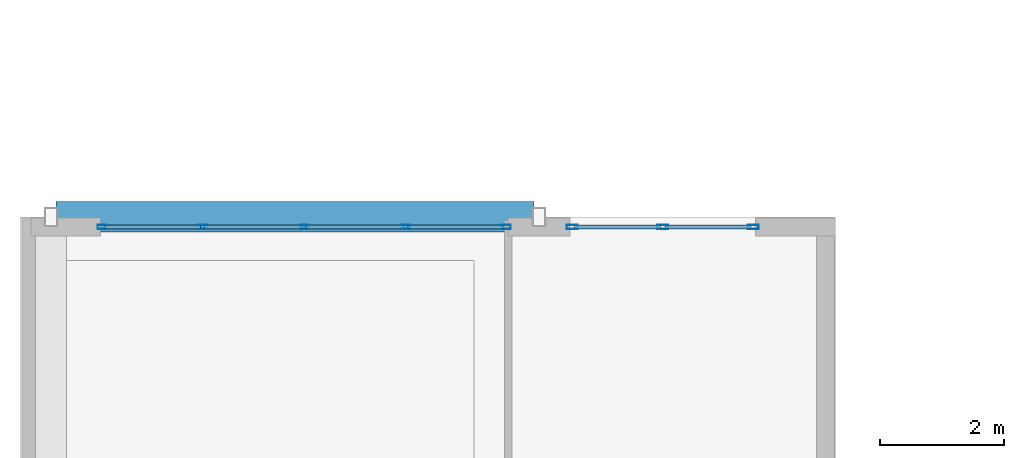
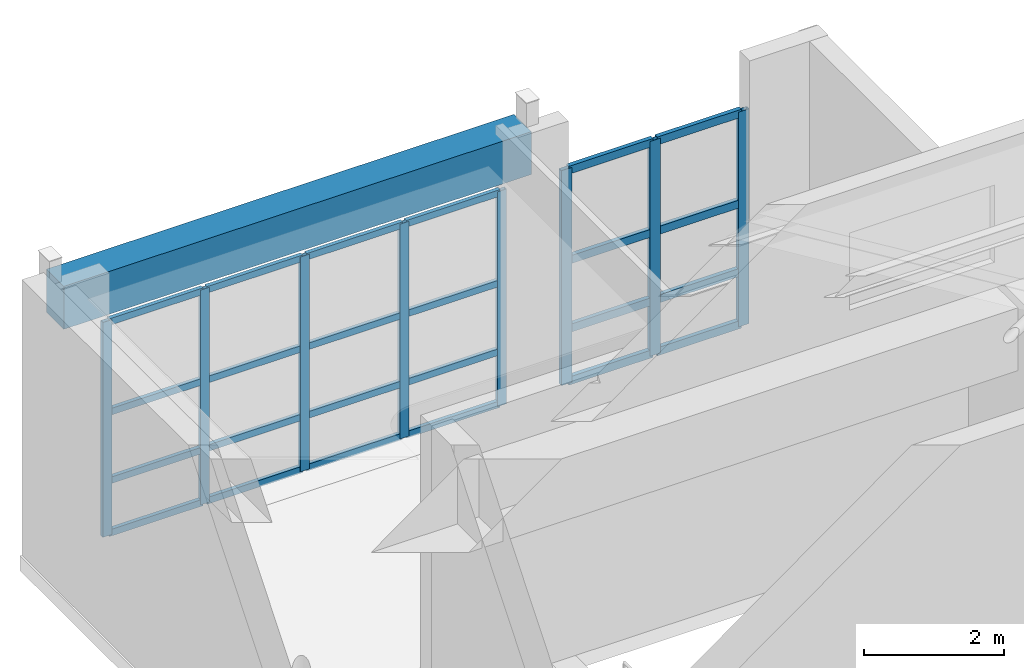
# One storey, part 18 of 34: 32 members, 1 beam, 2 elements without a shape of their own.
"""IFC4 building model written with IfcOpenShell, lengths in metres."""

from ifc_helpers import new_model, si_unit, direction, frame, origin, origin_2d, place, context, subcontext, project, spatial, rectangle, hollow_rectangle, extrude, material, layer, layer_set, material_profile, profile_set, type_object, element, aggregate, save


model = new_model("IFC4")

# Units and contexts
model_context = context("Model", 3, precision=1e-05, world=origin(), true_north=direction((0.0, 1.0)))
body_context = subcontext(model_context, "Body", "Model", "MODEL_VIEW")
ifc_project = project(units=[si_unit("LENGTHUNIT", "METRE"), si_unit("AREAUNIT", "SQUARE_METRE"), si_unit("VOLUMEUNIT", "CUBIC_METRE"), si_unit("PLANEANGLEUNIT", "RADIAN"), si_unit("MASSUNIT", "GRAM", prefix="KILO")], contexts=[model_context])

# Site, building, storey
site_placement = place(None, origin())
site = spatial("IfcSite", under=ifc_project, at=site_placement, CompositionType="ELEMENT")
building_placement = place(site_placement, origin())
building = spatial("IfcBuilding", under=site, at=building_placement, Name="Quendrovan Civic Courthouse", CompositionType="ELEMENT")
storey_placement = place(building_placement, frame((0.0, 0.0, 25.5)))
storey = spatial("IfcBuildingStorey", under=building, at=storey_placement, Name="L06", CompositionType="ELEMENT", Elevation=25.5)

# Beam
ifc_material_1 = material(Name="Concrete C40/50", Category="concrete")
ifc_material_profile_1 = material_profile(ifc_material_1, rectangle(XDim=0.5, YDim=0.75, at=origin_2d()), Name="RC-BM-500x750")
ifc_profile_set_1 = profile_set([ifc_material_profile_1], Name="Concrete C40/50")
beam_type = type_object("IfcBeamType", Name="BM-RC750", PredefinedType="SPANDREL", material=ifc_profile_set_1)
beam_placement = place(storey_placement, frame((0.580078125, 94.800048828125, 4.284912109375), z_axis=(1.0, 0.0, 0.0), x_axis=(0.0, 1.0, 0.0)))
element("IfcBeam", 1, at=beam_placement, inside=storey, type_object=beam_type, Name="L06 Girder X1101", PredefinedType="SPANDREL", context=body_context, shape_type="SweptSolid", body=[
    extrude(rectangle(XDim=0.5, YDim=0.75, at=origin_2d()), origin(), (0.0, 0.0, 1.0), 7.739990234375),
])

# Curtain wall, members
ifc_material_2 = material(Name="Bronze anodised aluminium and low-E glass", Category="aluminium")
ifc_layer_1 = layer(ifc_material_2, 0.179931640625, Name="Bronze anodised aluminium and low-E glass")
ifc_layer_set_1 = layer_set([ifc_layer_1], Name="Bronze anodised aluminium and low-E glass")
curtain_wall_type_1 = type_object("IfcCurtainWallType", Name="CW-U30x38", PredefinedType="USERDEFINED", material=ifc_layer_set_1)
curtain_wall_1_placement = place(storey_placement, origin())
curtain_wall_1 = element("IfcCurtainWall", 2, at=curtain_wall_1_placement, inside=storey, type_object=curtain_wall_type_1, Name="L06 Unitised Hurricane Curtain Wall CW-206", ObjectType="UNITISED CURTAIN WALL", PredefinedType="USERDEFINED")
ifc_material_3 = material(Name="Bronze anodised aluminium", Category="aluminium")
ifc_material_profile_2 = material_profile(ifc_material_3, hollow_rectangle(XDim=0.070068359375, YDim=0.179931640625, WallThickness=0.00390625, at=origin_2d()), Name="CW-MULL-70x180")
ifc_profile_set_2 = profile_set([ifc_material_profile_2], Name="Bronze anodised aluminium")
member_type_1 = type_object("IfcMemberType", Name="CW-MULL-A", PredefinedType="MULLION", material=ifc_profile_set_2)
member_1_placement = place(storey_placement, frame((8.93505859375, 94.635009765625, 0.0), z_axis=(0.0, 0.0, 1.0), x_axis=(0.0, 1.0, 0.0)))
member_1 = element("IfcMember", 3, at=member_1_placement, type_object=member_type_1, Name="CW-206 mullion 1", PredefinedType="MULLION", context=body_context, shape_type="SweptSolid", body=[
    extrude(hollow_rectangle(XDim=0.070068359375, YDim=0.179931640625, WallThickness=0.00390625, at=origin_2d()), origin(), (0.0, 0.0, 1.0), 3.760009765625),
])
member_2_placement = place(storey_placement, frame((10.39990234375, 94.635009765625, 0.0), z_axis=(0.0, 0.0, 1.0), x_axis=(0.0, 1.0, 0.0)))
member_2 = element("IfcMember", 4, at=member_2_placement, type_object=member_type_1, Name="CW-206 mullion 2", PredefinedType="MULLION", context=body_context, shape_type="SweptSolid", body=[
    extrude(hollow_rectangle(XDim=0.070068359375, YDim=0.179931640625, WallThickness=0.00390625, at=origin_2d()), origin(), (0.0, 0.0, 1.0), 3.760009765625),
])
member_3_placement = place(storey_placement, frame((11.864990234375, 94.635009765625, 0.0), z_axis=(0.0, 0.0, 1.0), x_axis=(0.0, 1.0, 0.0)))
member_3 = element("IfcMember", 5, at=member_3_placement, type_object=member_type_1, Name="CW-206 mullion 3", PredefinedType="MULLION", context=body_context, shape_type="SweptSolid", body=[
    extrude(hollow_rectangle(XDim=0.070068359375, YDim=0.179931640625, WallThickness=0.00390625, at=origin_2d()), origin(), (0.0, 0.0, 1.0), 3.760009765625),
])

ifc_layer_2 = layer(ifc_material_2, 0.179931640625, Name="Bronze anodised aluminium and low-E glass")
ifc_layer_set_2 = layer_set([ifc_layer_2], Name="Bronze anodised aluminium and low-E glass")
curtain_wall_type_2 = type_object("IfcCurtainWallType", Name="CW-U66x38", PredefinedType="USERDEFINED", material=ifc_layer_set_2)
curtain_wall_2_placement = place(storey_placement, origin())
curtain_wall_2 = element("IfcCurtainWall", 6, at=curtain_wall_2_placement, inside=storey, type_object=curtain_wall_type_2, Name="L06 Unitised Hurricane Curtain Wall CW-205", ObjectType="UNITISED CURTAIN WALL", PredefinedType="USERDEFINED")
ifc_material_profile_3 = material_profile(ifc_material_3, hollow_rectangle(XDim=0.06494140625, YDim=0.14990234375, WallThickness=0.00390625, at=origin_2d()), Name="CW-MULL-65x150")
ifc_profile_set_3 = profile_set([ifc_material_profile_3], Name="Bronze anodised aluminium")
member_type_2 = type_object("IfcMemberType", Name="CW-MULL-B", PredefinedType="MULLION", material=ifc_profile_set_3)
member_4_placement = place(storey_placement, frame((1.33251953125, 94.635009765625, 0.0), z_axis=(0.0, 0.0, 1.0), x_axis=(0.0, 1.0, 0.0)))
member_4 = element("IfcMember", 7, at=member_4_placement, type_object=member_type_2, Name="CW-205 mullion 1", PredefinedType="MULLION", context=body_context, shape_type="SweptSolid", body=[
    extrude(hollow_rectangle(XDim=0.06494140625, YDim=0.14990234375, WallThickness=0.00390625, at=origin_2d()), origin(), (0.0, 0.0, 1.0), 3.760009765625),
])
member_5_placement = place(storey_placement, frame((2.949951171875, 94.635009765625, 0.0), z_axis=(0.0, 0.0, 1.0), x_axis=(0.0, 1.0, 0.0)))
member_5 = element("IfcMember", 8, at=member_5_placement, type_object=member_type_2, Name="CW-205 mullion 2", PredefinedType="MULLION", context=body_context, shape_type="SweptSolid", body=[
    extrude(hollow_rectangle(XDim=0.06494140625, YDim=0.14990234375, WallThickness=0.00390625, at=origin_2d()), origin(), (0.0, 0.0, 1.0), 3.760009765625),
])
member_6_placement = place(storey_placement, frame((4.60009765625, 94.635009765625, 0.0), z_axis=(0.0, 0.0, 1.0), x_axis=(0.0, 1.0, 0.0)))
member_6 = element("IfcMember", 9, at=member_6_placement, type_object=member_type_2, Name="CW-205 mullion 3", PredefinedType="MULLION", context=body_context, shape_type="SweptSolid", body=[
    extrude(hollow_rectangle(XDim=0.06494140625, YDim=0.14990234375, WallThickness=0.00390625, at=origin_2d()), origin(), (0.0, 0.0, 1.0), 3.760009765625),
])
member_7_placement = place(storey_placement, frame((6.25, 94.635009765625, 0.0), z_axis=(0.0, 0.0, 1.0), x_axis=(0.0, 1.0, 0.0)))
member_7 = element("IfcMember", 10, at=member_7_placement, type_object=member_type_2, Name="CW-205 mullion 4", PredefinedType="MULLION", context=body_context, shape_type="SweptSolid", body=[
    extrude(hollow_rectangle(XDim=0.06494140625, YDim=0.14990234375, WallThickness=0.00390625, at=origin_2d()), origin(), (0.0, 0.0, 1.0), 3.760009765625),
])
member_8_placement = place(storey_placement, frame((7.867431640625, 94.635009765625, 0.0), z_axis=(0.0, 0.0, 1.0), x_axis=(0.0, 1.0, 0.0)))
member_8 = element("IfcMember", 11, at=member_8_placement, type_object=member_type_2, Name="CW-205 mullion 5", PredefinedType="MULLION", context=body_context, shape_type="SweptSolid", body=[
    extrude(hollow_rectangle(XDim=0.06494140625, YDim=0.14990234375, WallThickness=0.00390625, at=origin_2d()), origin(), (0.0, 0.0, 1.0), 3.760009765625),
])

# Member
ifc_material_profile_4 = material_profile(ifc_material_3, hollow_rectangle(XDim=0.070068359375, YDim=0.139892578125, WallThickness=0.00390625, at=origin_2d()), Name="CW-TRAN-70x140")
ifc_profile_set_4 = profile_set([ifc_material_profile_4], Name="Bronze anodised aluminium")
member_type_3 = type_object("IfcMemberType", Name="CW-TRAN-A", PredefinedType="USERDEFINED", material=ifc_profile_set_4)
member_9_placement = place(storey_placement, frame((8.969970703125, 94.635009765625, 0.034912109375), z_axis=(1.0, 0.0, 0.0), x_axis=(0.0, 1.0, 0.0)))
member_9 = element("IfcMember", 12, at=member_9_placement, type_object=member_type_3, Name="CW-206 transom 1.1", ObjectType="TRANSOM", PredefinedType="USERDEFINED", context=body_context, shape_type="SweptSolid", body=[
    extrude(hollow_rectangle(XDim=0.070068359375, YDim=0.139892578125, WallThickness=0.00390625, at=origin_2d()), origin(), (0.0, 0.0, 1.0), 1.39501953125),
])

member_10_placement = place(storey_placement, frame((8.969970703125, 94.635009765625, 0.949951171875), z_axis=(1.0, 0.0, 0.0), x_axis=(0.0, 1.0, 0.0)))
member_10 = element("IfcMember", 13, at=member_10_placement, type_object=member_type_3, Name="CW-206 transom 1.2", ObjectType="TRANSOM", PredefinedType="USERDEFINED", context=body_context, shape_type="SweptSolid", body=[
    extrude(hollow_rectangle(XDim=0.070068359375, YDim=0.139892578125, WallThickness=0.00390625, at=origin_2d()), origin(), (0.0, 0.0, 1.0), 1.39501953125),
])

member_11_placement = place(storey_placement, frame((8.969970703125, 94.635009765625, 2.14990234375), z_axis=(1.0, 0.0, 0.0), x_axis=(0.0, 1.0, 0.0)))
member_11 = element("IfcMember", 14, at=member_11_placement, type_object=member_type_3, Name="CW-206 transom 1.3", ObjectType="TRANSOM", PredefinedType="USERDEFINED", context=body_context, shape_type="SweptSolid", body=[
    extrude(hollow_rectangle(XDim=0.070068359375, YDim=0.139892578125, WallThickness=0.00390625, at=origin_2d()), origin(), (0.0, 0.0, 1.0), 1.39501953125),
])

member_12_placement = place(storey_placement, frame((8.969970703125, 94.635009765625, 3.72509765625), z_axis=(1.0, 0.0, 0.0), x_axis=(0.0, 1.0, 0.0)))
member_12 = element("IfcMember", 15, at=member_12_placement, type_object=member_type_3, Name="CW-206 transom 1.4", ObjectType="TRANSOM", PredefinedType="USERDEFINED", context=body_context, shape_type="SweptSolid", body=[
    extrude(hollow_rectangle(XDim=0.070068359375, YDim=0.139892578125, WallThickness=0.00390625, at=origin_2d()), origin(), (0.0, 0.0, 1.0), 1.39501953125),
])

member_13_placement = place(storey_placement, frame((10.43505859375, 94.635009765625, 0.034912109375), z_axis=(1.0, 0.0, 0.0), x_axis=(0.0, 1.0, 0.0)))
member_13 = element("IfcMember", 16, at=member_13_placement, type_object=member_type_3, Name="CW-206 transom 2.1", ObjectType="TRANSOM", PredefinedType="USERDEFINED", context=body_context, shape_type="SweptSolid", body=[
    extrude(hollow_rectangle(XDim=0.070068359375, YDim=0.139892578125, WallThickness=0.00390625, at=origin_2d()), origin(), (0.0, 0.0, 1.0), 1.39501953125),
])

member_14_placement = place(storey_placement, frame((10.43505859375, 94.635009765625, 0.949951171875), z_axis=(1.0, 0.0, 0.0), x_axis=(0.0, 1.0, 0.0)))
member_14 = element("IfcMember", 17, at=member_14_placement, type_object=member_type_3, Name="CW-206 transom 2.2", ObjectType="TRANSOM", PredefinedType="USERDEFINED", context=body_context, shape_type="SweptSolid", body=[
    extrude(hollow_rectangle(XDim=0.070068359375, YDim=0.139892578125, WallThickness=0.00390625, at=origin_2d()), origin(), (0.0, 0.0, 1.0), 1.39501953125),
])

member_15_placement = place(storey_placement, frame((10.43505859375, 94.635009765625, 2.14990234375), z_axis=(1.0, 0.0, 0.0), x_axis=(0.0, 1.0, 0.0)))
member_15 = element("IfcMember", 18, at=member_15_placement, type_object=member_type_3, Name="CW-206 transom 2.3", ObjectType="TRANSOM", PredefinedType="USERDEFINED", context=body_context, shape_type="SweptSolid", body=[
    extrude(hollow_rectangle(XDim=0.070068359375, YDim=0.139892578125, WallThickness=0.00390625, at=origin_2d()), origin(), (0.0, 0.0, 1.0), 1.39501953125),
])

member_16_placement = place(storey_placement, frame((10.43505859375, 94.635009765625, 3.72509765625), z_axis=(1.0, 0.0, 0.0), x_axis=(0.0, 1.0, 0.0)))
member_16 = element("IfcMember", 19, at=member_16_placement, type_object=member_type_3, Name="CW-206 transom 2.4", ObjectType="TRANSOM", PredefinedType="USERDEFINED", context=body_context, shape_type="SweptSolid", body=[
    extrude(hollow_rectangle(XDim=0.070068359375, YDim=0.139892578125, WallThickness=0.00390625, at=origin_2d()), origin(), (0.0, 0.0, 1.0), 1.39501953125),
])

aggregate(curtain_wall_1, [member_1, member_2, member_3, member_9, member_10, member_11, member_12, member_13, member_14, member_15, member_16])

ifc_material_profile_5 = material_profile(ifc_material_3, hollow_rectangle(XDim=0.06494140625, YDim=0.114990234375, WallThickness=0.00390625, at=origin_2d()), Name="CW-TRAN-65x115")
ifc_profile_set_5 = profile_set([ifc_material_profile_5], Name="Bronze anodised aluminium")
member_type_4 = type_object("IfcMemberType", Name="CW-TRAN-B", PredefinedType="USERDEFINED", material=ifc_profile_set_5)
member_17_placement = place(storey_placement, frame((1.364990234375, 94.635009765625, 0.032470703125), z_axis=(1.0, 0.0, 0.0), x_axis=(0.0, 1.0, 0.0)))
member_17 = element("IfcMember", 20, at=member_17_placement, type_object=member_type_4, Name="CW-205 transom 1.1", ObjectType="TRANSOM", PredefinedType="USERDEFINED", context=body_context, shape_type="SweptSolid", body=[
    extrude(hollow_rectangle(XDim=0.06494140625, YDim=0.114990234375, WallThickness=0.00390625, at=origin_2d()), origin(), (0.0, 0.0, 1.0), 1.552490234375),
])

member_18_placement = place(storey_placement, frame((1.364990234375, 94.635009765625, 0.949951171875), z_axis=(1.0, 0.0, 0.0), x_axis=(0.0, 1.0, 0.0)))
member_18 = element("IfcMember", 21, at=member_18_placement, type_object=member_type_4, Name="CW-205 transom 1.2", ObjectType="TRANSOM", PredefinedType="USERDEFINED", context=body_context, shape_type="SweptSolid", body=[
    extrude(hollow_rectangle(XDim=0.06494140625, YDim=0.114990234375, WallThickness=0.00390625, at=origin_2d()), origin(), (0.0, 0.0, 1.0), 1.552490234375),
])

member_19_placement = place(storey_placement, frame((1.364990234375, 94.635009765625, 2.14990234375), z_axis=(1.0, 0.0, 0.0), x_axis=(0.0, 1.0, 0.0)))
member_19 = element("IfcMember", 22, at=member_19_placement, type_object=member_type_4, Name="CW-205 transom 1.3", ObjectType="TRANSOM", PredefinedType="USERDEFINED", context=body_context, shape_type="SweptSolid", body=[
    extrude(hollow_rectangle(XDim=0.06494140625, YDim=0.114990234375, WallThickness=0.00390625, at=origin_2d()), origin(), (0.0, 0.0, 1.0), 1.552490234375),
])

member_20_placement = place(storey_placement, frame((1.364990234375, 94.635009765625, 3.7275390625), z_axis=(1.0, 0.0, 0.0), x_axis=(0.0, 1.0, 0.0)))
member_20 = element("IfcMember", 23, at=member_20_placement, type_object=member_type_4, Name="CW-205 transom 1.4", ObjectType="TRANSOM", PredefinedType="USERDEFINED", context=body_context, shape_type="SweptSolid", body=[
    extrude(hollow_rectangle(XDim=0.06494140625, YDim=0.114990234375, WallThickness=0.00390625, at=origin_2d()), origin(), (0.0, 0.0, 1.0), 1.552490234375),
])

member_21_placement = place(storey_placement, frame((2.982421875, 94.635009765625, 0.032470703125), z_axis=(1.0, 0.0, 0.0), x_axis=(0.0, 1.0, 0.0)))
member_21 = element("IfcMember", 24, at=member_21_placement, type_object=member_type_4, Name="CW-205 transom 2.1", ObjectType="TRANSOM", PredefinedType="USERDEFINED", context=body_context, shape_type="SweptSolid", body=[
    extrude(hollow_rectangle(XDim=0.06494140625, YDim=0.114990234375, WallThickness=0.00390625, at=origin_2d()), origin(), (0.0, 0.0, 1.0), 1.5849609375),
])

member_22_placement = place(storey_placement, frame((2.982421875, 94.635009765625, 0.949951171875), z_axis=(1.0, 0.0, 0.0), x_axis=(0.0, 1.0, 0.0)))
member_22 = element("IfcMember", 25, at=member_22_placement, type_object=member_type_4, Name="CW-205 transom 2.2", ObjectType="TRANSOM", PredefinedType="USERDEFINED", context=body_context, shape_type="SweptSolid", body=[
    extrude(hollow_rectangle(XDim=0.06494140625, YDim=0.114990234375, WallThickness=0.00390625, at=origin_2d()), origin(), (0.0, 0.0, 1.0), 1.5849609375),
])

member_23_placement = place(storey_placement, frame((2.982421875, 94.635009765625, 2.14990234375), z_axis=(1.0, 0.0, 0.0), x_axis=(0.0, 1.0, 0.0)))
member_23 = element("IfcMember", 26, at=member_23_placement, type_object=member_type_4, Name="CW-205 transom 2.3", ObjectType="TRANSOM", PredefinedType="USERDEFINED", context=body_context, shape_type="SweptSolid", body=[
    extrude(hollow_rectangle(XDim=0.06494140625, YDim=0.114990234375, WallThickness=0.00390625, at=origin_2d()), origin(), (0.0, 0.0, 1.0), 1.5849609375),
])

member_24_placement = place(storey_placement, frame((2.982421875, 94.635009765625, 3.7275390625), z_axis=(1.0, 0.0, 0.0), x_axis=(0.0, 1.0, 0.0)))
member_24 = element("IfcMember", 27, at=member_24_placement, type_object=member_type_4, Name="CW-205 transom 2.4", ObjectType="TRANSOM", PredefinedType="USERDEFINED", context=body_context, shape_type="SweptSolid", body=[
    extrude(hollow_rectangle(XDim=0.06494140625, YDim=0.114990234375, WallThickness=0.00390625, at=origin_2d()), origin(), (0.0, 0.0, 1.0), 1.5849609375),
])

member_25_placement = place(storey_placement, frame((4.632568359375, 94.635009765625, 0.032470703125), z_axis=(1.0, 0.0, 0.0), x_axis=(0.0, 1.0, 0.0)))
member_25 = element("IfcMember", 28, at=member_25_placement, type_object=member_type_4, Name="CW-205 transom 3.1", ObjectType="TRANSOM", PredefinedType="USERDEFINED", context=body_context, shape_type="SweptSolid", body=[
    extrude(hollow_rectangle(XDim=0.06494140625, YDim=0.114990234375, WallThickness=0.00390625, at=origin_2d()), origin(), (0.0, 0.0, 1.0), 1.5849609375),
])

member_26_placement = place(storey_placement, frame((4.632568359375, 94.635009765625, 0.949951171875), z_axis=(1.0, 0.0, 0.0), x_axis=(0.0, 1.0, 0.0)))
member_26 = element("IfcMember", 29, at=member_26_placement, type_object=member_type_4, Name="CW-205 transom 3.2", ObjectType="TRANSOM", PredefinedType="USERDEFINED", context=body_context, shape_type="SweptSolid", body=[
    extrude(hollow_rectangle(XDim=0.06494140625, YDim=0.114990234375, WallThickness=0.00390625, at=origin_2d()), origin(), (0.0, 0.0, 1.0), 1.5849609375),
])

member_27_placement = place(storey_placement, frame((4.632568359375, 94.635009765625, 2.14990234375), z_axis=(1.0, 0.0, 0.0), x_axis=(0.0, 1.0, 0.0)))
member_27 = element("IfcMember", 30, at=member_27_placement, type_object=member_type_4, Name="CW-205 transom 3.3", ObjectType="TRANSOM", PredefinedType="USERDEFINED", context=body_context, shape_type="SweptSolid", body=[
    extrude(hollow_rectangle(XDim=0.06494140625, YDim=0.114990234375, WallThickness=0.00390625, at=origin_2d()), origin(), (0.0, 0.0, 1.0), 1.5849609375),
])

member_28_placement = place(storey_placement, frame((4.632568359375, 94.635009765625, 3.7275390625), z_axis=(1.0, 0.0, 0.0), x_axis=(0.0, 1.0, 0.0)))
member_28 = element("IfcMember", 31, at=member_28_placement, type_object=member_type_4, Name="CW-205 transom 3.4", ObjectType="TRANSOM", PredefinedType="USERDEFINED", context=body_context, shape_type="SweptSolid", body=[
    extrude(hollow_rectangle(XDim=0.06494140625, YDim=0.114990234375, WallThickness=0.00390625, at=origin_2d()), origin(), (0.0, 0.0, 1.0), 1.5849609375),
])

member_29_placement = place(storey_placement, frame((6.282470703125, 94.635009765625, 0.032470703125), z_axis=(1.0, 0.0, 0.0), x_axis=(0.0, 1.0, 0.0)))
member_29 = element("IfcMember", 32, at=member_29_placement, type_object=member_type_4, Name="CW-205 transom 4.1", ObjectType="TRANSOM", PredefinedType="USERDEFINED", context=body_context, shape_type="SweptSolid", body=[
    extrude(hollow_rectangle(XDim=0.06494140625, YDim=0.114990234375, WallThickness=0.00390625, at=origin_2d()), origin(), (0.0, 0.0, 1.0), 1.552490234375),
])

member_30_placement = place(storey_placement, frame((6.282470703125, 94.635009765625, 0.949951171875), z_axis=(1.0, 0.0, 0.0), x_axis=(0.0, 1.0, 0.0)))
member_30 = element("IfcMember", 33, at=member_30_placement, type_object=member_type_4, Name="CW-205 transom 4.2", ObjectType="TRANSOM", PredefinedType="USERDEFINED", context=body_context, shape_type="SweptSolid", body=[
    extrude(hollow_rectangle(XDim=0.06494140625, YDim=0.114990234375, WallThickness=0.00390625, at=origin_2d()), origin(), (0.0, 0.0, 1.0), 1.552490234375),
])

member_31_placement = place(storey_placement, frame((6.282470703125, 94.635009765625, 2.14990234375), z_axis=(1.0, 0.0, 0.0), x_axis=(0.0, 1.0, 0.0)))
member_31 = element("IfcMember", 34, at=member_31_placement, type_object=member_type_4, Name="CW-205 transom 4.3", ObjectType="TRANSOM", PredefinedType="USERDEFINED", context=body_context, shape_type="SweptSolid", body=[
    extrude(hollow_rectangle(XDim=0.06494140625, YDim=0.114990234375, WallThickness=0.00390625, at=origin_2d()), origin(), (0.0, 0.0, 1.0), 1.552490234375),
])

member_32_placement = place(storey_placement, frame((6.282470703125, 94.635009765625, 3.7275390625), z_axis=(1.0, 0.0, 0.0), x_axis=(0.0, 1.0, 0.0)))
member_32 = element("IfcMember", 35, at=member_32_placement, type_object=member_type_4, Name="CW-205 transom 4.4", ObjectType="TRANSOM", PredefinedType="USERDEFINED", context=body_context, shape_type="SweptSolid", body=[
    extrude(hollow_rectangle(XDim=0.06494140625, YDim=0.114990234375, WallThickness=0.00390625, at=origin_2d()), origin(), (0.0, 0.0, 1.0), 1.552490234375),
])

aggregate(curtain_wall_2, [member_4, member_5, member_6, member_7, member_8, member_17, member_18, member_19, member_20, member_21, member_22, member_23, member_24, member_25, member_26, member_27, member_28, member_29, member_30, member_31, member_32])

save(model, "model.ifc")
